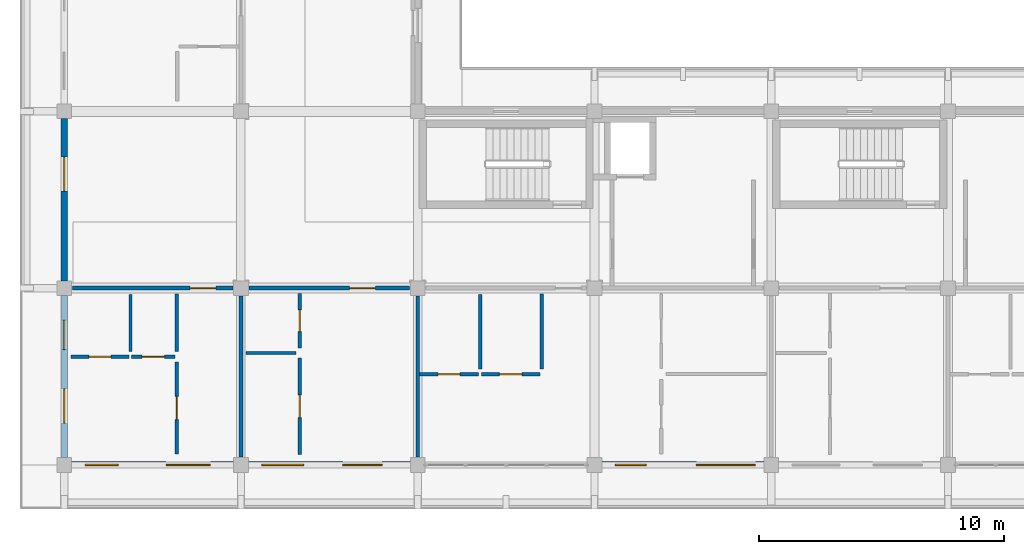
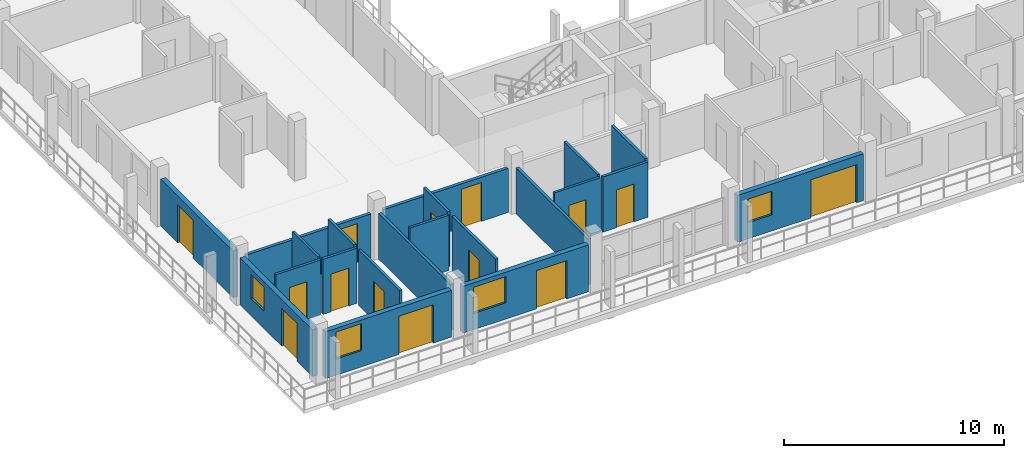
# One storey, part 38 of 75: 21 walls, 14 doors, 4 windows, 18 openings.
"""IFC4 building model written with IfcOpenShell, lengths in metres."""

from ifc_helpers import new_model, si_unit, direction, frame, frame_2d, origin, place, context, subcontext, project, spatial, rectangle, extrude, material, layer, layer_set, type_object, element, fill, save


model = new_model("IFC4")

# Units and contexts
model_context = context("Model", 3, precision=1e-05, world=origin(), true_north=direction((0.0, 1.0)))
body_context = subcontext(model_context, "Body", "Model", "MODEL_VIEW")
ifc_project = project(units=[si_unit("LENGTHUNIT", "METRE"), si_unit("AREAUNIT", "SQUARE_METRE"), si_unit("VOLUMEUNIT", "CUBIC_METRE"), si_unit("PLANEANGLEUNIT", "RADIAN"), si_unit("MASSUNIT", "GRAM", prefix="KILO")], contexts=[model_context])

# Site, building, storey
site_placement = place(None, origin())
site = spatial("IfcSite", under=ifc_project, at=site_placement, CompositionType="ELEMENT")
building_placement = place(site_placement, origin())
building = spatial("IfcBuilding", under=site, at=building_placement, Name="Suanplinth Sawtooth Commons", CompositionType="ELEMENT")
storey_placement = place(building_placement, frame((0.0, 0.0, 18.60009765625)))
storey = spatial("IfcBuildingStorey", under=building, at=storey_placement, Name="L05", CompositionType="ELEMENT", Elevation=18.60009765625)

# Wall, openings, door, window
ifc_material_1 = material(Name="Precast concrete C40/50", Category="concrete")
ifc_layer_1 = layer(ifc_material_1, 0.260009765625, Name="Insulated precast courtyard facade wall 260mm")
ifc_layer_set_1 = layer_set([ifc_layer_1], Name="Precast concrete C40/50")
wall_type_1 = type_object("IfcWallType", Name="W-EX02", PredefinedType="ELEMENTEDWALL", material=ifc_layer_set_1)
wall_1_placement = place(storey_placement, frame((0.300048828125, 0.0, 0.0), z_axis=(0.0, 0.0, 1.0), x_axis=(1.0, 0.0, 0.0)))
wall_1 = element("IfcWall", 1, at=wall_1_placement, inside=storey, type_object=wall_type_1, Name="Facade Wall W-L05-D-S-0-0", PredefinedType="ELEMENTEDWALL", context=body_context, shape_type="SweptSolid", body=[
    extrude(rectangle(XDim=6.599853515625, YDim=0.260009765625, at=frame_2d((3.2998046875, 0.0))), origin(), (0.0, 0.0, 1.0), 2.594970703125),
])
opening_1_placement = place(wall_1_placement, frame((3.85009765625, 0.0, 0.0)))
opening_1 = element("IfcOpeningElement", 2, at=opening_1_placement, cuts=wall_1, Name="Opening ED0461", PredefinedType="OPENING", context=body_context, shape_type="SweptSolid", body=[
    extrude(rectangle(XDim=1.800048828125, YDim=2.1201171875, at=frame_2d((0.89990234375, 1.06005859375))), frame((0.0, 0.14501953125, 0.0), z_axis=(0.0, -1.0, 0.0), x_axis=(1.0, 0.0, 0.0)), (0.0, 0.0, 1.0), 0.289794921875),
])
opening_2_placement = place(wall_1_placement, frame((0.550048828125, 0.0, 0.89990234375)))
opening_2 = element("IfcOpeningElement", 3, at=opening_2_placement, cuts=wall_1, Name="Opening W0550", PredefinedType="OPENING", context=body_context, shape_type="SweptSolid", body=[
    extrude(rectangle(XDim=1.35009765625, YDim=1.5, at=frame_2d((0.675048828125, 0.75))), frame((0.0, 0.14501953125, 0.0), z_axis=(0.0, -1.0, 0.0), x_axis=(1.0, 0.0, 0.0)), (0.0, 0.0, 1.0), 0.289794921875),
])
ifc_material_2 = material(Name="Anodized aluminium and low-E glass", Category="aluminium")
door_type_1 = type_object("IfcDoorType", Name="SD-01", OperationType="SLIDING_TO_LEFT", PredefinedType="DOOR", material=ifc_material_2)
door_1_placement = place(opening_1_placement, frame((1.800048828125, 0.0, 0.0), z_axis=(0.0, 0.0, 1.0), x_axis=(-1.0, 0.0, 0.0)))
door_1 = element("IfcDoor", 4, at=door_1_placement, inside=storey, type_object=door_type_1, Name="Balcony Sliding Door L05-D-0", OperationType="SLIDING_TO_LEFT", OverallHeight=2.1201171875, OverallWidth=1.800048828125, PredefinedType="DOOR", context=body_context, shape_type="SweptSolid", body=[
    extrude(rectangle(XDim=1.800048828125, YDim=2.1201171875, at=frame_2d((0.89990234375, 1.06005859375))), frame((0.0, 0.02490234375, 0.0), z_axis=(0.0, -1.0, 0.0), x_axis=(1.0, 0.0, 0.0)), (0.0, 0.0, 1.0), 0.050048828125),
])
fill(opening_1, door_1)
ifc_material_3 = material(Name="Thermally broken aluminium and low-E double glazing", Category="aluminium")
window_type_1 = type_object("IfcWindowType", Name="WN-14", PartitioningType="SINGLE_PANEL", PredefinedType="WINDOW", material=ifc_material_3)
window_1_placement = place(opening_2_placement, origin())
window_1 = element("IfcWindow", 5, at=window_1_placement, inside=storey, type_object=window_type_1, Name="Apartment Window L05-D-0", OverallHeight=1.5, OverallWidth=1.35009765625, PartitioningType="SINGLE_PANEL", PredefinedType="WINDOW", context=body_context, shape_type="SweptSolid", body=[
    extrude(rectangle(XDim=1.35009765625, YDim=1.5, at=frame_2d((0.675048828125, 0.75))), frame((0.0, 0.030029296875, 0.0), z_axis=(0.0, -1.0, 0.0), x_axis=(1.0, 0.0, 0.0)), (0.0, 0.0, 1.0), 0.06005859375),
])
fill(opening_2, window_1)

wall_2_placement = place(storey_placement, frame((0.0, 0.300048828125, 0.0), z_axis=(0.0, 0.0, 1.0), x_axis=(0.0, 1.0, 0.0)))
wall_2 = element("IfcWall", 6, at=wall_2_placement, inside=storey, type_object=wall_type_1, Name="Facade Wall W-L05-D-W-0-0", PredefinedType="ELEMENTEDWALL", context=body_context, shape_type="SweptSolid", body=[
    extrude(rectangle(XDim=6.599853515625, YDim=0.260009765625, at=frame_2d((3.2998046875, 0.0))), origin(), (0.0, 0.0, 1.0), 2.594970703125),
])
opening_3_placement = place(wall_2_placement, frame((1.39990234375, 0.0, 0.0)))
opening_3 = element("IfcOpeningElement", 7, at=opening_3_placement, cuts=wall_2, Name="Opening ED0462", PredefinedType="OPENING", context=body_context, shape_type="SweptSolid", body=[
    extrude(rectangle(XDim=1.39990234375, YDim=2.10009765625, at=frame_2d((0.699951171875, 1.050048828125))), frame((0.0, 0.14501953125, 0.0), z_axis=(0.0, -1.0, 0.0), x_axis=(1.0, 0.0, 0.0)), (0.0, 0.0, 1.0), 0.289794921875),
])
opening_4_placement = place(wall_2_placement, frame((4.39990234375, 0.0, 0.949951171875)))
opening_4 = element("IfcOpeningElement", 8, at=opening_4_placement, cuts=wall_2, Name="Opening W0551", PredefinedType="OPENING", context=body_context, shape_type="SweptSolid", body=[
    extrude(rectangle(XDim=1.199951171875, YDim=1.35009765625, at=frame_2d((0.60009765625, 0.675048828125))), frame((0.0, 0.14501953125, 0.0), z_axis=(0.0, -1.0, 0.0), x_axis=(1.0, 0.0, 0.0)), (0.0, 0.0, 1.0), 0.289794921875),
])
door_type_2 = type_object("IfcDoorType", Name="SD-07", OperationType="SLIDING_TO_RIGHT", PredefinedType="DOOR", material=ifc_material_2)
door_2_placement = place(opening_3_placement, frame((1.39990234375, 0.0, 0.0), z_axis=(0.0, 0.0, 1.0), x_axis=(-1.0, 0.0, 0.0)))
door_2 = element("IfcDoor", 9, at=door_2_placement, inside=storey, type_object=door_type_2, Name="End Balcony Sliding Door L05-D-W-0-0", OperationType="SLIDING_TO_RIGHT", OverallHeight=2.10009765625, OverallWidth=1.39990234375, PredefinedType="DOOR", context=body_context, shape_type="SweptSolid", body=[
    extrude(rectangle(XDim=1.39990234375, YDim=2.10009765625, at=frame_2d((0.699951171875, 1.050048828125))), frame((0.0, 0.02490234375, 0.0), z_axis=(0.0, -1.0, 0.0), x_axis=(1.0, 0.0, 0.0)), (0.0, 0.0, 1.0), 0.050048828125),
])
fill(opening_3, door_2)
window_type_2 = type_object("IfcWindowType", Name="WN-03", PartitioningType="SINGLE_PANEL", PredefinedType="WINDOW", material=ifc_material_3)
window_2_placement = place(opening_4_placement, origin())
window_2 = element("IfcWindow", 10, at=window_2_placement, inside=storey, type_object=window_type_2, Name="End Bedroom Window L05-D-0-0", OverallHeight=1.35009765625, OverallWidth=1.199951171875, PartitioningType="SINGLE_PANEL", PredefinedType="WINDOW", context=body_context, shape_type="SweptSolid", body=[
    extrude(rectangle(XDim=1.199951171875, YDim=1.35009765625, at=frame_2d((0.60009765625, 0.675048828125))), frame((0.0, 0.030029296875, 0.0), z_axis=(0.0, -1.0, 0.0), x_axis=(1.0, 0.0, 0.0)), (0.0, 0.0, 1.0), 0.06005859375),
])
fill(opening_4, window_2)

# Wall, opening, door
wall_3_placement = place(storey_placement, frame((0.0, 7.5, 0.0), z_axis=(0.0, 0.0, 1.0), x_axis=(0.0, 1.0, 0.0)))
wall_3 = element("IfcWall", 11, at=wall_3_placement, inside=storey, type_object=wall_type_1, Name="Facade Wall W-L05-D-W-0-1", PredefinedType="ELEMENTEDWALL", context=body_context, shape_type="SweptSolid", body=[
    extrude(rectangle(XDim=6.60009765625, YDim=0.260009765625, at=frame_2d((3.300048828125, 0.0))), origin(), (0.0, 0.0, 1.0), 2.594970703125),
])
opening_5_placement = place(wall_3_placement, frame((3.64990234375, 0.0, 0.0)))
opening_5 = element("IfcOpeningElement", 12, at=opening_5_placement, cuts=wall_3, Name="Opening ED0463", PredefinedType="OPENING", context=body_context, shape_type="SweptSolid", body=[
    extrude(rectangle(XDim=1.39990234375, YDim=2.10009765625, at=frame_2d((0.699951171875, 1.050048828125))), frame((0.0, 0.14501953125, 0.0), z_axis=(0.0, -1.0, 0.0), x_axis=(1.0, 0.0, 0.0)), (0.0, 0.0, 1.0), 0.289794921875),
])
door_3_placement = place(opening_5_placement, frame((1.39990234375, 0.0, 0.0), z_axis=(0.0, 0.0, 1.0), x_axis=(-1.0, 0.0, 0.0)))
door_3 = element("IfcDoor", 13, at=door_3_placement, inside=storey, type_object=door_type_2, Name="End Balcony Sliding Door L05-D-W-0-1", OperationType="SLIDING_TO_RIGHT", OverallHeight=2.10009765625, OverallWidth=1.39990234375, PredefinedType="DOOR", context=body_context, shape_type="SweptSolid", body=[
    extrude(rectangle(XDim=1.39990234375, YDim=2.10009765625, at=frame_2d((0.699951171875, 1.050048828125))), frame((0.0, 0.02490234375, 0.0), z_axis=(0.0, -1.0, 0.0), x_axis=(1.0, 0.0, 0.0)), (0.0, 0.0, 1.0), 0.050048828125),
])
fill(opening_5, door_3)

# Wall, openings, door, window
wall_4_placement = place(storey_placement, frame((7.5, 0.0, 0.0), z_axis=(0.0, 0.0, 1.0), x_axis=(1.0, 0.0, 0.0)))
wall_4 = element("IfcWall", 14, at=wall_4_placement, inside=storey, type_object=wall_type_1, Name="Facade Wall W-L05-D-S-1-0", PredefinedType="ELEMENTEDWALL", context=body_context, shape_type="SweptSolid", body=[
    extrude(rectangle(XDim=6.60009765625, YDim=0.260009765625, at=frame_2d((3.300048828125, 0.0))), origin(), (0.0, 0.0, 1.0), 2.594970703125),
])
opening_6_placement = place(wall_4_placement, frame((3.85009765625, 0.0, 0.0)))
opening_6 = element("IfcOpeningElement", 15, at=opening_6_placement, cuts=wall_4, Name="Opening ED0468", PredefinedType="OPENING", context=body_context, shape_type="SweptSolid", body=[
    extrude(rectangle(XDim=1.60009765625, YDim=2.1201171875, at=frame_2d((0.800048828125, 1.06005859375))), frame((0.0, 0.14501953125, 0.0), z_axis=(0.0, -1.0, 0.0), x_axis=(1.0, 0.0, 0.0)), (0.0, 0.0, 1.0), 0.289794921875),
])
opening_7_placement = place(wall_4_placement, frame((0.550048828125, 0.0, 0.89990234375)))
opening_7 = element("IfcOpeningElement", 16, at=opening_7_placement, cuts=wall_4, Name="Opening W0555", PredefinedType="OPENING", context=body_context, shape_type="SweptSolid", body=[
    extrude(rectangle(XDim=1.699951171875, YDim=1.449951171875, at=frame_2d((0.85009765625, 0.72509765625))), frame((0.0, 0.14501953125, 0.0), z_axis=(0.0, -1.0, 0.0), x_axis=(1.0, 0.0, 0.0)), (0.0, 0.0, 1.0), 0.289794921875),
])
door_type_3 = type_object("IfcDoorType", Name="SD-02", OperationType="SLIDING_TO_RIGHT", PredefinedType="DOOR", material=ifc_material_2)
door_4_placement = place(opening_6_placement, frame((1.60009765625, 0.0, 0.0), z_axis=(0.0, 0.0, 1.0), x_axis=(-1.0, 0.0, 0.0)))
door_4 = element("IfcDoor", 17, at=door_4_placement, inside=storey, type_object=door_type_3, Name="Balcony Sliding Door L05-D-1", OperationType="SLIDING_TO_RIGHT", OverallHeight=2.1201171875, OverallWidth=1.60009765625, PredefinedType="DOOR", context=body_context, shape_type="SweptSolid", body=[
    extrude(rectangle(XDim=1.60009765625, YDim=2.1201171875, at=frame_2d((0.800048828125, 1.06005859375))), frame((0.0, 0.02490234375, 0.0), z_axis=(0.0, -1.0, 0.0), x_axis=(1.0, 0.0, 0.0)), (0.0, 0.0, 1.0), 0.050048828125),
])
fill(opening_6, door_4)
window_type_3 = type_object("IfcWindowType", Name="WN-15", PartitioningType="DOUBLE_PANEL_VERTICAL", PredefinedType="WINDOW", material=ifc_material_3)
window_3_placement = place(opening_7_placement, origin())
window_3 = element("IfcWindow", 18, at=window_3_placement, inside=storey, type_object=window_type_3, Name="Apartment Window L05-D-1", OverallHeight=1.449951171875, OverallWidth=1.699951171875, PartitioningType="DOUBLE_PANEL_VERTICAL", PredefinedType="WINDOW", context=body_context, shape_type="SweptSolid", body=[
    extrude(rectangle(XDim=1.699951171875, YDim=1.449951171875, at=frame_2d((0.85009765625, 0.72509765625))), frame((0.0, 0.030029296875, 0.0), z_axis=(0.0, -1.0, 0.0), x_axis=(1.0, 0.0, 0.0)), (0.0, 0.0, 1.0), 0.06005859375),
])
fill(opening_7, window_3)

wall_5_placement = place(storey_placement, frame((21.89990234375, 0.0, 0.0), z_axis=(0.0, 0.0, 1.0), x_axis=(1.0, 0.0, 0.0)))
wall_5 = element("IfcWall", 19, at=wall_5_placement, inside=storey, type_object=wall_type_1, Name="Facade Wall W-L05-D-S-3-0", PredefinedType="ELEMENTEDWALL", context=body_context, shape_type="SweptSolid", body=[
    extrude(rectangle(XDim=6.60009765625, YDim=0.260009765625, at=frame_2d((3.300048828125, 0.0))), origin(), (0.0, 0.0, 1.0), 2.594970703125),
])
opening_8_placement = place(wall_5_placement, frame((3.85009765625, 0.0, 0.0)))
opening_8 = element("IfcOpeningElement", 20, at=opening_8_placement, cuts=wall_5, Name="Opening ED0472", PredefinedType="OPENING", context=body_context, shape_type="SweptSolid", body=[
    extrude(rectangle(XDim=2.39990234375, YDim=2.1201171875, at=frame_2d((1.199951171875, 1.06005859375))), frame((0.0, 0.14501953125, 0.0), z_axis=(0.0, -1.0, 0.0), x_axis=(1.0, 0.0, 0.0)), (0.0, 0.0, 1.0), 0.289794921875),
])
opening_9_placement = place(wall_5_placement, frame((0.550048828125, 0.0, 0.89990234375)))
opening_9 = element("IfcOpeningElement", 21, at=opening_9_placement, cuts=wall_5, Name="Opening W0558", PredefinedType="OPENING", context=body_context, shape_type="SweptSolid", body=[
    extrude(rectangle(XDim=1.25, YDim=1.300048828125, at=frame_2d((0.625, 0.64990234375))), frame((0.0, 0.14501953125, 0.0), z_axis=(0.0, -1.0, 0.0), x_axis=(1.0, 0.0, 0.0)), (0.0, 0.0, 1.0), 0.289794921875),
])
door_type_4 = type_object("IfcDoorType", Name="SD-04", OperationType="DOUBLE_DOOR_SLIDING", PredefinedType="DOOR", material=ifc_material_2)
door_5_placement = place(opening_8_placement, frame((2.39990234375, 0.0, 0.0), z_axis=(0.0, 0.0, 1.0), x_axis=(-1.0, 0.0, 0.0)))
door_5 = element("IfcDoor", 22, at=door_5_placement, inside=storey, type_object=door_type_4, Name="Balcony Sliding Door L05-D-3", OperationType="DOUBLE_DOOR_SLIDING", OverallHeight=2.1201171875, OverallWidth=2.39990234375, PredefinedType="DOOR", context=body_context, shape_type="SweptSolid", body=[
    extrude(rectangle(XDim=2.39990234375, YDim=2.1201171875, at=frame_2d((1.199951171875, 1.06005859375))), frame((0.0, 0.02490234375, 0.0), z_axis=(0.0, -1.0, 0.0), x_axis=(1.0, 0.0, 0.0)), (0.0, 0.0, 1.0), 0.050048828125),
])
fill(opening_8, door_5)
window_type_4 = type_object("IfcWindowType", Name="WN-17", PartitioningType="SINGLE_PANEL", PredefinedType="WINDOW", material=ifc_material_3)
window_4_placement = place(opening_9_placement, origin())
window_4 = element("IfcWindow", 23, at=window_4_placement, inside=storey, type_object=window_type_4, Name="Apartment Window L05-D-3", OverallHeight=1.300048828125, OverallWidth=1.25, PartitioningType="SINGLE_PANEL", PredefinedType="WINDOW", context=body_context, shape_type="SweptSolid", body=[
    extrude(rectangle(XDim=1.25, YDim=1.300048828125, at=frame_2d((0.625, 0.64990234375))), frame((0.0, 0.030029296875, 0.0), z_axis=(0.0, -1.0, 0.0), x_axis=(1.0, 0.0, 0.0)), (0.0, 0.0, 1.0), 0.06005859375),
])
fill(opening_9, window_4)

# Wall, opening, door
ifc_layer_2 = layer(ifc_material_1, 0.159912109375, Name="Fire-rated corridor and lobby wall 160mm")
ifc_layer_set_2 = layer_set([ifc_layer_2], Name="Precast concrete C40/50")
wall_type_2 = type_object("IfcWallType", Name="W-FW01", PredefinedType="PARTITIONING", material=ifc_layer_set_2)
wall_6_placement = place(storey_placement, frame((0.330078125, 7.199951171875, 0.0), z_axis=(0.0, 0.0, 1.0), x_axis=(1.0, 0.0, 0.0)))
wall_6 = element("IfcWall", 24, at=wall_6_placement, inside=storey, type_object=wall_type_2, Name="W-D-L05-U01-COR", PredefinedType="PARTITIONING", context=body_context, shape_type="SweptSolid", body=[
    extrude(rectangle(XDim=6.5400390625, YDim=0.159912109375, at=frame_2d((3.27001953125, 0.0))), origin(), (0.0, 0.0, 1.0), 2.44482421875),
])
opening_10_placement = place(wall_6_placement, frame((4.794921875, 0.0, 0.0)))
opening_10 = element("IfcOpeningElement", 25, at=opening_10_placement, cuts=wall_6, Name="Opening FD1325", PredefinedType="OPENING", context=body_context, shape_type="SweptSolid", body=[
    extrude(rectangle(XDim=1.050048828125, YDim=2.14990234375, at=frame_2d((0.52490234375, 1.074951171875))), frame((0.0, 0.0947265625, 0.0), z_axis=(0.0, -1.0, 0.0), x_axis=(1.0, 0.0, 0.0)), (0.0, 0.0, 1.0), 0.189697265625),
])
ifc_material_4 = material(Name="Teak hardwood fire-rated door assembly", Category="wood")
door_type_5 = type_object("IfcDoorType", Name="FD-04", OperationType="NOTDEFINED", PredefinedType="DOOR", material=ifc_material_4)
door_6_placement = place(opening_10_placement, frame((1.050048828125, 0.0, 0.0), z_axis=(0.0, 0.0, 1.0), x_axis=(-1.0, 0.0, 0.0)))
door_6 = element("IfcDoor", 26, at=door_6_placement, inside=storey, type_object=door_type_5, Name="Unit Entrance Door FD1325", OperationType="SINGLE_SWING_LEFT", OverallHeight=2.14990234375, OverallWidth=1.050048828125, PredefinedType="DOOR", context=body_context, shape_type="SweptSolid", body=[
    extrude(rectangle(XDim=1.050048828125, YDim=2.14990234375, at=frame_2d((0.52490234375, 1.074951171875))), frame((0.0, 0.02490234375, 0.0), z_axis=(0.0, -1.0, 0.0), x_axis=(1.0, 0.0, 0.0)), (0.0, 0.0, 1.0), 0.050048828125),
])
fill(opening_10, door_6)

wall_7_placement = place(storey_placement, frame((7.530029296875, 7.199951171875, 0.0), z_axis=(0.0, 0.0, 1.0), x_axis=(1.0, 0.0, 0.0)))
wall_7 = element("IfcWall", 27, at=wall_7_placement, inside=storey, type_object=wall_type_2, Name="W-D-L05-U02-COR", PredefinedType="PARTITIONING", context=body_context, shape_type="SweptSolid", body=[
    extrude(rectangle(XDim=6.5400390625, YDim=0.159912109375, at=frame_2d((3.27001953125, 0.0))), origin(), (0.0, 0.0, 1.0), 2.44482421875),
])
opening_11_placement = place(wall_7_placement, frame((4.094970703125, 0.0, 0.0)))
opening_11 = element("IfcOpeningElement", 28, at=opening_11_placement, cuts=wall_7, Name="Opening FD1329", PredefinedType="OPENING", context=body_context, shape_type="SweptSolid", body=[
    extrude(rectangle(XDim=1.050048828125, YDim=2.14990234375, at=frame_2d((0.52490234375, 1.074951171875))), frame((0.0, 0.0947265625, 0.0), z_axis=(0.0, -1.0, 0.0), x_axis=(1.0, 0.0, 0.0)), (0.0, 0.0, 1.0), 0.189697265625),
])
door_7_placement = place(opening_11_placement, frame((1.050048828125, 0.0, 0.0), z_axis=(0.0, 0.0, 1.0), x_axis=(-1.0, 0.0, 0.0)))
door_7 = element("IfcDoor", 29, at=door_7_placement, inside=storey, type_object=door_type_5, Name="Unit Entrance Door FD1329", OperationType="SINGLE_SWING_LEFT", OverallHeight=2.14990234375, OverallWidth=1.050048828125, PredefinedType="DOOR", context=body_context, shape_type="SweptSolid", body=[
    extrude(rectangle(XDim=1.050048828125, YDim=2.14990234375, at=frame_2d((0.52490234375, 1.074951171875))), frame((0.0, 0.02490234375, 0.0), z_axis=(0.0, -1.0, 0.0), x_axis=(1.0, 0.0, 0.0)), (0.0, 0.0, 1.0), 0.050048828125),
])
fill(opening_11, door_7)

# Walls
ifc_layer_3 = layer(ifc_material_1, 0.14990234375, Name="Acoustic precast party demising wall 150mm")
ifc_layer_set_3 = layer_set([ifc_layer_3], Name="Precast concrete C40/50")
wall_type_3 = type_object("IfcWallType", Name="W-FW02", PredefinedType="PARTITIONING", material=ifc_layer_set_3)
for number, where, z_axis, x_axis, name in (
    (30, (7.199951171875, 0.330078125, 0.0), (0.0, 0.0, 1.0), (0.0, 1.0, 0.0), "W-D-L05-U01-PTY"),
    (31, (14.39990234375, 0.330078125, 0.0), (0.0, 0.0, 1.0), (0.0, 1.0, 0.0), "W-D-L05-U02-PTY"),
):
    element("IfcWall", number, at=place(storey_placement, frame(where, z_axis=z_axis, x_axis=x_axis)), inside=storey, type_object=wall_type_3, Name=name, PredefinedType="PARTITIONING", context=body_context, shape_type="SweptSolid", body=[
        extrude(rectangle(XDim=6.5400390625, YDim=0.14990234375, at=frame_2d((3.27001953125, 0.0))), origin(), (0.0, 0.0, 1.0), 2.544921875),
    ])

# Wall, opening, door
ifc_material_5 = material(Name="Gypsum plasterboard on steel stud", Category="steel")
ifc_layer_4 = layer(ifc_material_5, 0.139892578125, Name="Fire-rated kitchen partition 140mm")
ifc_layer_set_4 = layer_set([ifc_layer_4], Name="Gypsum plasterboard on steel stud")
wall_type_4 = type_object("IfcWallType", Name="W-PT01", PredefinedType="PARTITIONING", material=ifc_layer_set_4)
wall_8_placement = place(storey_placement, frame((2.75, 4.39990234375, 0.0), z_axis=(0.0, 0.0, 1.0), x_axis=(1.0, 0.0, 0.0)))
wall_8 = element("IfcWall", 32, at=wall_8_placement, inside=storey, type_object=wall_type_4, Name="W-D-L05-U01-KIT1", PredefinedType="PARTITIONING", context=body_context, shape_type="SweptSolid", body=[
    extrude(rectangle(XDim=1.77001953125, YDim=0.139892578125, at=frame_2d((0.885009765625, 0.0))), origin(), (0.0, 0.0, 1.0), 3.059814453125),
])
opening_12_placement = place(wall_8_placement, frame((0.425048828125, 0.0, 0.0)))
opening_12 = element("IfcOpeningElement", 33, at=opening_12_placement, cuts=wall_8, Name="Opening D1327", PredefinedType="OPENING", context=body_context, shape_type="SweptSolid", body=[
    extrude(rectangle(XDim=0.919921875, YDim=2.10009765625, at=frame_2d((0.4599609375, 1.050048828125))), frame((0.0, 0.0849609375, 0.0), z_axis=(0.0, -1.0, 0.0), x_axis=(1.0, 0.0, 0.0)), (0.0, 0.0, 1.0), 0.169677734375),
])
ifc_material_6 = material(Name="Teak hardwood", Category="wood")
door_type_6 = type_object("IfcDoorType", Name="D-02", OperationType="NOTDEFINED", PredefinedType="DOOR", material=ifc_material_6)
door_8_placement = place(opening_12_placement, origin())
door_8 = element("IfcDoor", 34, at=door_8_placement, inside=storey, type_object=door_type_6, Name="Kitchen Door D1327", OperationType="SINGLE_SWING_LEFT", OverallHeight=2.10009765625, OverallWidth=0.919921875, PredefinedType="DOOR", context=body_context, shape_type="SweptSolid", body=[
    extrude(rectangle(XDim=0.919921875, YDim=2.10009765625, at=frame_2d((0.4599609375, 1.050048828125))), frame((0.0, 0.02490234375, 0.0), z_axis=(0.0, -1.0, 0.0), x_axis=(1.0, 0.0, 0.0)), (0.0, 0.0, 1.0), 0.050048828125),
])
fill(opening_12, door_8)

# Wall
wall_9_placement = place(storey_placement, frame((4.590087890625, 4.6201171875, 0.0), z_axis=(0.0, 0.0, 1.0), x_axis=(0.0, 1.0, 0.0)))
element("IfcWall", 35, at=wall_9_placement, inside=storey, type_object=wall_type_4, Name="W-D-L05-U01-KIT2", PredefinedType="PARTITIONING", context=body_context, shape_type="SweptSolid", body=[
    extrude(rectangle(XDim=2.349853515625, YDim=0.139892578125, at=frame_2d((1.1748046875, 0.0))), origin(), (0.0, 0.0, 1.0), 3.059814453125),
])

# Wall, opening, door
wall_10_placement = place(storey_placement, frame((9.594970703125, 0.419921875, 0.0), z_axis=(0.0, 0.0, 1.0), x_axis=(0.0, 1.0, 0.0)))
wall_10 = element("IfcWall", 36, at=wall_10_placement, inside=storey, type_object=wall_type_4, Name="W-D-L05-U02-KITE", PredefinedType="PARTITIONING", context=body_context, shape_type="SweptSolid", body=[
    extrude(rectangle(XDim=3.940185546875, YDim=0.139892578125, at=frame_2d((1.97021484375, 0.0))), origin(), (0.0, 0.0, 1.0), 3.059814453125),
])
opening_13_placement = place(wall_10_placement, frame((1.510009765625, 0.0, 0.0)))
opening_13 = element("IfcOpeningElement", 37, at=opening_13_placement, cuts=wall_10, Name="Opening D1331", PredefinedType="OPENING", context=body_context, shape_type="SweptSolid", body=[
    extrude(rectangle(XDim=0.919921875, YDim=2.10009765625, at=frame_2d((0.4599609375, 1.050048828125))), frame((0.0, 0.0849609375, 0.0), z_axis=(0.0, -1.0, 0.0), x_axis=(1.0, 0.0, 0.0)), (0.0, 0.0, 1.0), 0.169677734375),
])
door_9_placement = place(opening_13_placement, origin())
door_9 = element("IfcDoor", 38, at=door_9_placement, inside=storey, type_object=door_type_6, Name="Kitchen Door D1331", OperationType="SINGLE_SWING_LEFT", OverallHeight=2.10009765625, OverallWidth=0.919921875, PredefinedType="DOOR", context=body_context, shape_type="SweptSolid", body=[
    extrude(rectangle(XDim=0.919921875, YDim=2.10009765625, at=frame_2d((0.4599609375, 1.050048828125))), frame((0.0, 0.02490234375, 0.0), z_axis=(0.0, -1.0, 0.0), x_axis=(1.0, 0.0, 0.0)), (0.0, 0.0, 1.0), 0.050048828125),
])
fill(opening_13, door_9)

wall_11_placement = place(storey_placement, frame((17.0, 3.68994140625, 0.0), z_axis=(0.0, 0.0, 1.0), x_axis=(1.0, 0.0, 0.0)))
wall_11 = element("IfcWall", 39, at=wall_11_placement, inside=storey, type_object=wall_type_4, Name="W-D-L05-U03-KIT1", PredefinedType="PARTITIONING", context=body_context, shape_type="SweptSolid", body=[
    extrude(rectangle(XDim=2.3798828125, YDim=0.139892578125, at=frame_2d((1.18994140625, 0.0))), origin(), (0.0, 0.0, 1.0), 3.059814453125),
])
opening_14_placement = place(wall_11_placement, frame((0.72998046875, 0.0, 0.0)))
opening_14 = element("IfcOpeningElement", 40, at=opening_14_placement, cuts=wall_11, Name="Opening D1334", PredefinedType="OPENING", context=body_context, shape_type="SweptSolid", body=[
    extrude(rectangle(XDim=0.919921875, YDim=2.10009765625, at=frame_2d((0.4599609375, 1.050048828125))), frame((0.0, 0.0849609375, 0.0), z_axis=(0.0, -1.0, 0.0), x_axis=(1.0, 0.0, 0.0)), (0.0, 0.0, 1.0), 0.169677734375),
])
door_10_placement = place(opening_14_placement, origin())
door_10 = element("IfcDoor", 41, at=door_10_placement, inside=storey, type_object=door_type_6, Name="Kitchen Door D1334", OperationType="SINGLE_SWING_RIGHT", OverallHeight=2.10009765625, OverallWidth=0.919921875, PredefinedType="DOOR", context=body_context, shape_type="SweptSolid", body=[
    extrude(rectangle(XDim=0.919921875, YDim=2.10009765625, at=frame_2d((0.4599609375, 1.050048828125))), frame((0.0, 0.02490234375, 0.0), z_axis=(0.0, -1.0, 0.0), x_axis=(1.0, 0.0, 0.0)), (0.0, 0.0, 1.0), 0.050048828125),
])
fill(opening_14, door_10)

# Wall
wall_12_placement = place(storey_placement, frame((19.449951171875, 3.909912109375, 0.0), z_axis=(0.0, 0.0, 1.0), x_axis=(0.0, 1.0, 0.0)))
element("IfcWall", 42, at=wall_12_placement, inside=storey, type_object=wall_type_4, Name="W-D-L05-U03-KIT2", PredefinedType="PARTITIONING", context=body_context, shape_type="SweptSolid", body=[
    extrude(rectangle(XDim=3.06005859375, YDim=0.139892578125, at=frame_2d((1.530029296875, 0.0))), origin(), (0.0, 0.0, 1.0), 3.059814453125),
])

# Wall, opening, door
ifc_layer_5 = layer(ifc_material_5, 0.1298828125, Name="Moisture-resistant bathroom partition 130mm")
ifc_layer_set_5 = layer_set([ifc_layer_5], Name="Gypsum plasterboard on steel stud")
wall_type_5 = type_object("IfcWallType", Name="W-PT02", PredefinedType="PARTITIONING", material=ifc_layer_set_5)
wall_13_placement = place(storey_placement, frame((0.280029296875, 4.405029296875, 0.0), z_axis=(0.0, 0.0, 1.0), x_axis=(1.0, 0.0, 0.0)))
wall_13 = element("IfcWall", 43, at=wall_13_placement, inside=storey, type_object=wall_type_5, Name="W-D-L05-U01-BTH1", PredefinedType="PARTITIONING", context=body_context, shape_type="SweptSolid", body=[
    extrude(rectangle(XDim=2.349853515625, YDim=0.1298828125, at=frame_2d((1.1748046875, 0.0))), origin(), (0.0, 0.0, 1.0), 3.059814453125),
])
opening_15_placement = place(wall_13_placement, frame((0.72509765625, 0.0, 0.0)))
opening_15 = element("IfcOpeningElement", 44, at=opening_15_placement, cuts=wall_13, Name="Opening D1326", PredefinedType="OPENING", context=body_context, shape_type="SweptSolid", body=[
    extrude(rectangle(XDim=0.89990234375, YDim=2.10009765625, at=frame_2d((0.449951171875, 1.050048828125))), frame((0.0, 0.079833984375, 0.0), z_axis=(0.0, -1.0, 0.0), x_axis=(1.0, 0.0, 0.0)), (0.0, 0.0, 1.0), 0.15966796875),
])
door_type_7 = type_object("IfcDoorType", Name="D-01", OperationType="NOTDEFINED", PredefinedType="DOOR", material=ifc_material_6)
door_11_placement = place(opening_15_placement, origin())
door_11 = element("IfcDoor", 45, at=door_11_placement, inside=storey, type_object=door_type_7, Name="Bathroom Door D1326", OperationType="SINGLE_SWING_RIGHT", OverallHeight=2.10009765625, OverallWidth=0.89990234375, PredefinedType="DOOR", context=body_context, shape_type="SweptSolid", body=[
    extrude(rectangle(XDim=0.89990234375, YDim=2.10009765625, at=frame_2d((0.449951171875, 1.050048828125))), frame((0.0, 0.02490234375, 0.0), z_axis=(0.0, -1.0, 0.0), x_axis=(1.0, 0.0, 0.0)), (0.0, 0.0, 1.0), 0.050048828125),
])
fill(opening_15, door_11)

# Walls
wall_14_placement = place(storey_placement, frame((2.695068359375, 4.610107421875, 0.0), z_axis=(0.0, 0.0, 1.0), x_axis=(0.0, 1.0, 0.0)))
element("IfcWall", 46, at=wall_14_placement, inside=storey, type_object=wall_type_5, Name="W-D-L05-U01-BTH2", PredefinedType="PARTITIONING", context=body_context, shape_type="SweptSolid", body=[
    extrude(rectangle(XDim=2.329833984375, YDim=0.1298828125, at=frame_2d((1.1650390625, 0.0))), origin(), (0.0, 0.0, 1.0), 3.059814453125),
])
wall_15_placement = place(storey_placement, frame((7.39990234375, 4.56005859375, 0.0), z_axis=(0.0, 0.0, 1.0), x_axis=(1.0, 0.0, 0.0)))
element("IfcWall", 47, at=wall_15_placement, inside=storey, type_object=wall_type_5, Name="W-D-L05-U02-STDIV", PredefinedType="PARTITIONING", context=body_context, shape_type="SweptSolid", body=[
    extrude(rectangle(XDim=2.050048828125, YDim=0.1298828125, at=frame_2d((1.02490234375, 0.0))), origin(), (0.0, 0.0, 1.0), 3.059814453125),
])

# Wall, opening, door
wall_16_placement = place(storey_placement, frame((9.594970703125, 4.760009765625, 0.0), z_axis=(0.0, 0.0, 1.0), x_axis=(0.0, 1.0, 0.0)))
wall_16 = element("IfcWall", 48, at=wall_16_placement, inside=storey, type_object=wall_type_5, Name="W-D-L05-U02-BTHE", PredefinedType="PARTITIONING", context=body_context, shape_type="SweptSolid", body=[
    extrude(rectangle(XDim=2.219970703125, YDim=0.1298828125, at=frame_2d((1.10986328125, 0.0))), origin(), (0.0, 0.0, 1.0), 3.059814453125),
])
opening_16_placement = place(wall_16_placement, frame((0.669921875, 0.0, 0.0)))
opening_16 = element("IfcOpeningElement", 49, at=opening_16_placement, cuts=wall_16, Name="Opening D1330", PredefinedType="OPENING", context=body_context, shape_type="SweptSolid", body=[
    extrude(rectangle(XDim=0.8798828125, YDim=2.10009765625, at=frame_2d((0.43994140625, 1.050048828125))), frame((0.0, 0.079833984375, 0.0), z_axis=(0.0, -1.0, 0.0), x_axis=(1.0, 0.0, 0.0)), (0.0, 0.0, 1.0), 0.15966796875),
])
door_type_8 = type_object("IfcDoorType", Name="D-14", OperationType="NOTDEFINED", PredefinedType="DOOR", material=ifc_material_6)
door_12_placement = place(opening_16_placement, origin())
door_12 = element("IfcDoor", 50, at=door_12_placement, inside=storey, type_object=door_type_8, Name="Bathroom Door D1330", OperationType="SINGLE_SWING_RIGHT", OverallHeight=2.10009765625, OverallWidth=0.8798828125, PredefinedType="DOOR", context=body_context, shape_type="SweptSolid", body=[
    extrude(rectangle(XDim=0.8798828125, YDim=2.10009765625, at=frame_2d((0.43994140625, 1.050048828125))), frame((0.0, 0.02490234375, 0.0), z_axis=(0.0, -1.0, 0.0), x_axis=(1.0, 0.0, 0.0)), (0.0, 0.0, 1.0), 0.050048828125),
])
fill(opening_16, door_12)

wall_17_placement = place(storey_placement, frame((14.47998046875, 3.695068359375, 0.0), z_axis=(0.0, 0.0, 1.0), x_axis=(1.0, 0.0, 0.0)))
wall_17 = element("IfcWall", 51, at=wall_17_placement, inside=storey, type_object=wall_type_5, Name="W-D-L05-U03-BTH1", PredefinedType="PARTITIONING", context=body_context, shape_type="SweptSolid", body=[
    extrude(rectangle(XDim=2.39990234375, YDim=0.1298828125, at=frame_2d((1.199951171875, 0.0))), origin(), (0.0, 0.0, 1.0), 3.059814453125),
])
opening_17_placement = place(wall_17_placement, frame((0.75, 0.0, 0.0)))
opening_17 = element("IfcOpeningElement", 52, at=opening_17_placement, cuts=wall_17, Name="Opening D1333", PredefinedType="OPENING", context=body_context, shape_type="SweptSolid", body=[
    extrude(rectangle(XDim=0.89990234375, YDim=2.10009765625, at=frame_2d((0.449951171875, 1.050048828125))), frame((0.0, 0.079833984375, 0.0), z_axis=(0.0, -1.0, 0.0), x_axis=(1.0, 0.0, 0.0)), (0.0, 0.0, 1.0), 0.15966796875),
])
door_13_placement = place(opening_17_placement, origin())
door_13 = element("IfcDoor", 53, at=door_13_placement, inside=storey, type_object=door_type_7, Name="Bathroom Door D1333", OperationType="SINGLE_SWING_LEFT", OverallHeight=2.10009765625, OverallWidth=0.89990234375, PredefinedType="DOOR", context=body_context, shape_type="SweptSolid", body=[
    extrude(rectangle(XDim=0.89990234375, YDim=2.10009765625, at=frame_2d((0.449951171875, 1.050048828125))), frame((0.0, 0.02490234375, 0.0), z_axis=(0.0, -1.0, 0.0), x_axis=(1.0, 0.0, 0.0)), (0.0, 0.0, 1.0), 0.050048828125),
])
fill(opening_17, door_13)

# Wall
wall_18_placement = place(storey_placement, frame((16.945068359375, 3.89990234375, 0.0), z_axis=(0.0, 0.0, 1.0), x_axis=(0.0, 1.0, 0.0)))
element("IfcWall", 54, at=wall_18_placement, inside=storey, type_object=wall_type_5, Name="W-D-L05-U03-BTH2", PredefinedType="PARTITIONING", context=body_context, shape_type="SweptSolid", body=[
    extrude(rectangle(XDim=3.0400390625, YDim=0.1298828125, at=frame_2d((1.52001953125, 0.0))), origin(), (0.0, 0.0, 1.0), 3.059814453125),
])

# Wall, opening, door
ifc_layer_6 = layer(ifc_material_5, 0.135009765625, Name="Insulated bedroom demising partition 135mm")
ifc_layer_set_6 = layer_set([ifc_layer_6], Name="Gypsum plasterboard on steel stud")
wall_type_6 = type_object("IfcWallType", Name="W-PT07", PredefinedType="PARTITIONING", material=ifc_layer_set_6)
wall_19_placement = place(storey_placement, frame((4.580078125, 0.43994140625, 0.0), z_axis=(0.0, 0.0, 1.0), x_axis=(0.0, 1.0, 0.0)))
wall_19 = element("IfcWall", 55, at=wall_19_placement, inside=storey, type_object=wall_type_6, Name="W-D-L05-U01-BED1", PredefinedType="PARTITIONING", context=body_context, shape_type="SweptSolid", body=[
    extrude(rectangle(XDim=3.75, YDim=0.135009765625, at=frame_2d((1.875, 0.0))), origin(), (0.0, 0.0, 1.0), 3.059814453125),
])
opening_18_placement = place(wall_19_placement, frame((1.39990234375, 0.0, 0.0)))
opening_18 = element("IfcOpeningElement", 56, at=opening_18_placement, cuts=wall_19, Name="Opening D1328", PredefinedType="OPENING", context=body_context, shape_type="SweptSolid", body=[
    extrude(rectangle(XDim=0.949951171875, YDim=2.14990234375, at=frame_2d((0.47509765625, 1.074951171875))), frame((0.0, 0.08251953125, 0.0), z_axis=(0.0, -1.0, 0.0), x_axis=(1.0, 0.0, 0.0)), (0.0, 0.0, 1.0), 0.164794921875),
])
door_type_9 = type_object("IfcDoorType", Name="D-03", OperationType="NOTDEFINED", PredefinedType="DOOR", material=ifc_material_6)
door_14_placement = place(opening_18_placement, origin())
door_14 = element("IfcDoor", 57, at=door_14_placement, inside=storey, type_object=door_type_9, Name="Bedroom Door D1328", OperationType="SINGLE_SWING_RIGHT", OverallHeight=2.14990234375, OverallWidth=0.949951171875, PredefinedType="DOOR", context=body_context, shape_type="SweptSolid", body=[
    extrude(rectangle(XDim=0.949951171875, YDim=2.14990234375, at=frame_2d((0.47509765625, 1.074951171875))), frame((0.0, 0.02490234375, 0.0), z_axis=(0.0, -1.0, 0.0), x_axis=(1.0, 0.0, 0.0)), (0.0, 0.0, 1.0), 0.050048828125),
])
fill(opening_18, door_14)

save(model, "model.ifc")
